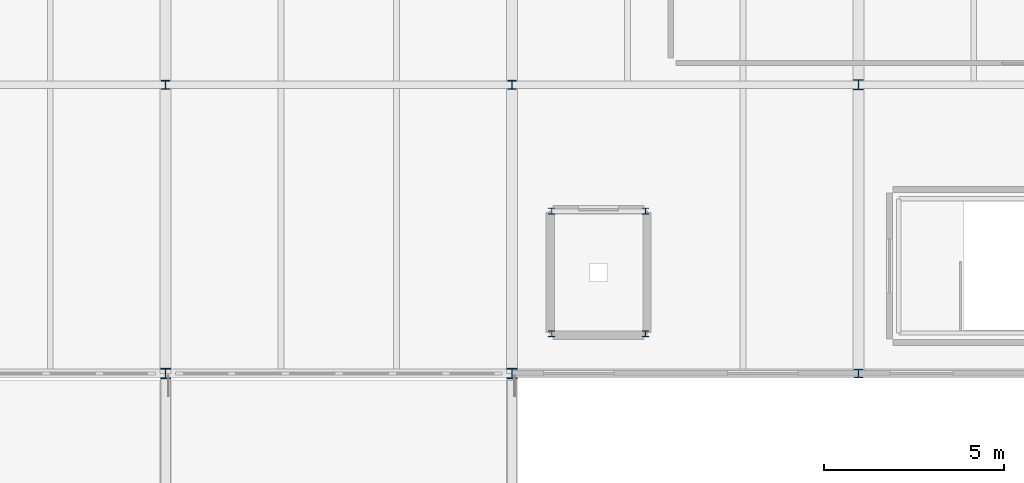
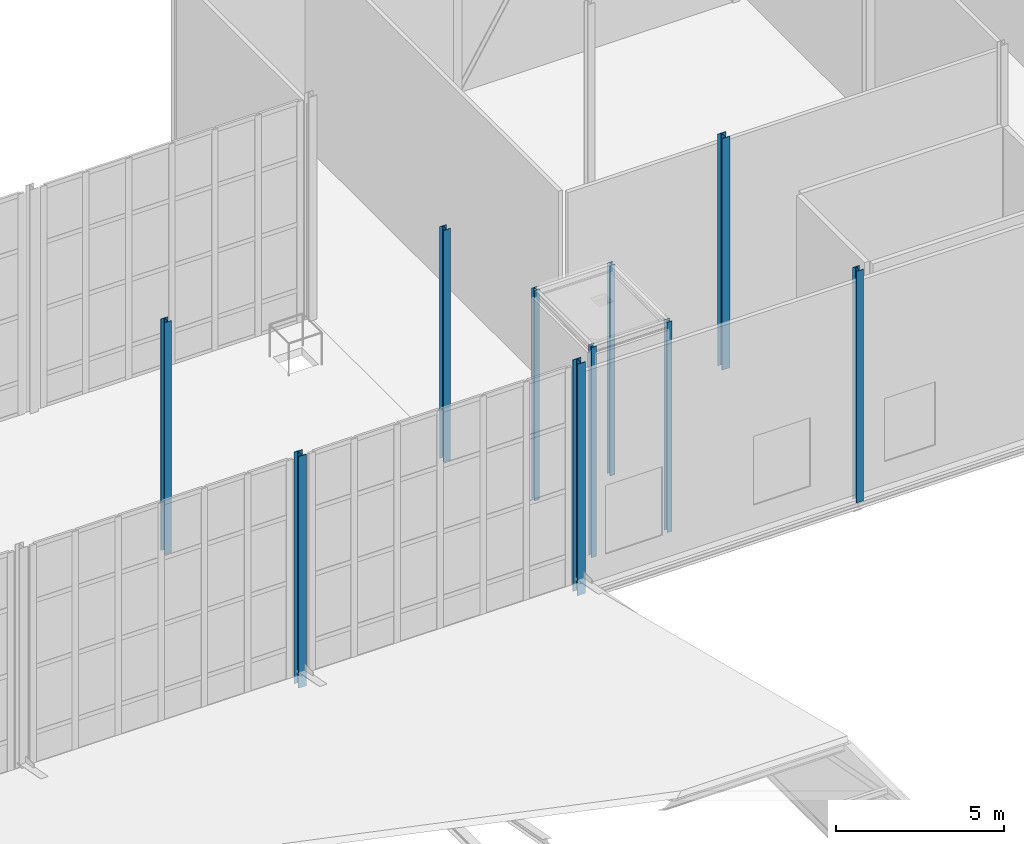
# One storey, part 9 of 73: 10 columns.
"""IFC4 building model written with IfcOpenShell, lengths in metres."""

from ifc_helpers import new_model, si_unit, direction, frame, origin, origin_2d, place, context, subcontext, project, spatial, i_section, extrude, material, material_profile, profile_set, type_object, element, save


model = new_model("IFC4")

# Units and contexts
model_context = context("Model", 3, precision=1e-05, world=origin(), true_north=direction((0.0, 1.0)))
body_context = subcontext(model_context, "Body", "Model", "MODEL_VIEW")
ifc_project = project(units=[si_unit("LENGTHUNIT", "METRE"), si_unit("AREAUNIT", "SQUARE_METRE"), si_unit("VOLUMEUNIT", "CUBIC_METRE"), si_unit("PLANEANGLEUNIT", "RADIAN"), si_unit("MASSUNIT", "GRAM", prefix="KILO")], contexts=[model_context])

# Site, building, storey
site_placement = place(None, origin())
site = spatial("IfcSite", under=ifc_project, at=site_placement, CompositionType="ELEMENT")
building_placement = place(site_placement, origin())
building = spatial("IfcBuilding", under=site, at=building_placement, Name="Alderhovde Museum", CompositionType="ELEMENT")
storey_placement = place(building_placement, frame((0.0, 0.0, 17.39990234375)))
storey = spatial("IfcBuildingStorey", under=building, at=storey_placement, Name="L04", CompositionType="ELEMENT", Elevation=17.39990234375)

# Columns
ifc_material_1 = material(Name="Steel S355J2", Category="steel")
ifc_material_profile_1 = material_profile(ifc_material_1, i_section(OverallWidth=0.179931640625, OverallDepth=0.1708984375, WebThickness=0.006103515625, FlangeThickness=0.009521484375, FilletRadius=0.014892578125, at=origin_2d()), Name="HEA 180")
ifc_profile_set_1 = profile_set([ifc_material_profile_1], Name="Steel S355J2")
column_type_1 = type_object("IfcColumnType", Name="COL-HEA180", PredefinedType="COLUMN", material=ifc_profile_set_1)
for number, where, z_axis, x_axis, name in (
    (1, (116.300048828125, 73.10009765625, 0.0), (0.0, 0.0, 1.0), (1.0, 0.0, 0.0), "L04 Lift PL-03 Shaft Column 1"),
    (2, (118.89990234375, 73.10009765625, 0.0), (0.0, 0.0, 1.0), (1.0, 0.0, 0.0), "L04 Lift PL-03 Shaft Column 2"),
    (3, (118.89990234375, 76.5, 0.0), (0.0, 0.0, 1.0), (1.0, 0.0, 0.0), "L04 Lift PL-03 Shaft Column 3"),
    (4, (116.300048828125, 76.5, 0.0), (0.0, 0.0, 1.0), (1.0, 0.0, 0.0), "L04 Lift PL-03 Shaft Column 4"),
):
    element("IfcColumn", number, at=place(storey_placement, frame(where, z_axis=z_axis, x_axis=x_axis)), inside=storey, type_object=column_type_1, Name=name, PredefinedType="COLUMN", context=body_context, shape_type="SweptSolid", body=[
        extrude(i_section(OverallWidth=0.179931640625, OverallDepth=0.1708984375, WebThickness=0.006103515625, FlangeThickness=0.009521484375, FilletRadius=0.014892578125, at=origin_2d()), origin(), (0.0, 0.0, 1.0), 7.66015625),
    ])
ifc_material_2 = material(Name="Steel S355J2", Category="steel")
ifc_material_profile_2 = material_profile(ifc_material_2, i_section(OverallWidth=0.239990234375, OverallDepth=0.239990234375, WebThickness=0.010009765625, FlangeThickness=0.01708984375, FilletRadius=0.02099609375, at=origin_2d()), Name="HEB 240")
ifc_profile_set_2 = profile_set([ifc_material_profile_2], Name="Steel S355J2")
column_type_2 = type_object("IfcColumnType", Name="COL-HEB240", PredefinedType="COLUMN", material=ifc_profile_set_2)
for number, where, z_axis, x_axis, name in (
    (5, (105.60009765625, 80.0, -0.27978515625), (0.0, 0.0, 1.0), (1.0, 0.0, 0.0), "L04 Column (105.6, 80.0)"),
    (6, (115.199951171875, 80.0, -0.27978515625), (0.0, 0.0, 1.0), (1.0, 0.0, 0.0), "L04 Column (115.2, 80.0)"),
    (7, (124.800048828125, 72.0, -0.27978515625), (0.0, 0.0, 1.0), (1.0, 0.0, 0.0), "L04 Column (124.8, 72.0)"),
):
    element("IfcColumn", number, at=place(storey_placement, frame(where, z_axis=z_axis, x_axis=x_axis)), inside=storey, type_object=column_type_2, Name=name, PredefinedType="COLUMN", context=body_context, shape_type="SweptSolid", body=[
        extrude(i_section(OverallWidth=0.239990234375, OverallDepth=0.239990234375, WebThickness=0.010009765625, FlangeThickness=0.01708984375, FilletRadius=0.02099609375, at=origin_2d()), origin(), (0.0, 0.0, 1.0), 8.429931640625),
    ])
ifc_material_3 = material(Name="Steel S355J2", Category="steel")
ifc_material_profile_3 = material_profile(ifc_material_3, i_section(OverallWidth=0.280029296875, OverallDepth=0.280029296875, WebThickness=0.010498046875, FlangeThickness=0.01806640625, FilletRadius=0.02392578125, at=origin_2d()), Name="HEB 280")
ifc_profile_set_3 = profile_set([ifc_material_profile_3], Name="Steel S355J2")
column_type_3 = type_object("IfcColumnType", Name="COL-HEB280", PredefinedType="COLUMN", material=ifc_profile_set_3)
for number, where, z_axis, x_axis, name in (
    (8, (105.60009765625, 72.0, -0.27978515625), (0.0, 0.0, 1.0), (1.0, 0.0, 0.0), "L04 Column (105.6, 72.0)"),
    (9, (115.199951171875, 72.0, -0.27978515625), (0.0, 0.0, 1.0), (1.0, 0.0, 0.0), "L04 Column (115.2, 72.0)"),
    (10, (124.800048828125, 80.0, -0.27978515625), (0.0, 0.0, 1.0), (1.0, 0.0, 0.0), "L04 Column (124.8, 80.0)"),
):
    element("IfcColumn", number, at=place(storey_placement, frame(where, z_axis=z_axis, x_axis=x_axis)), inside=storey, type_object=column_type_3, Name=name, PredefinedType="COLUMN", context=body_context, shape_type="SweptSolid", body=[
        extrude(i_section(OverallWidth=0.280029296875, OverallDepth=0.280029296875, WebThickness=0.010498046875, FlangeThickness=0.01806640625, FilletRadius=0.02392578125, at=origin_2d()), origin(), (0.0, 0.0, 1.0), 8.429931640625),
    ])

save(model, "model.ifc")
